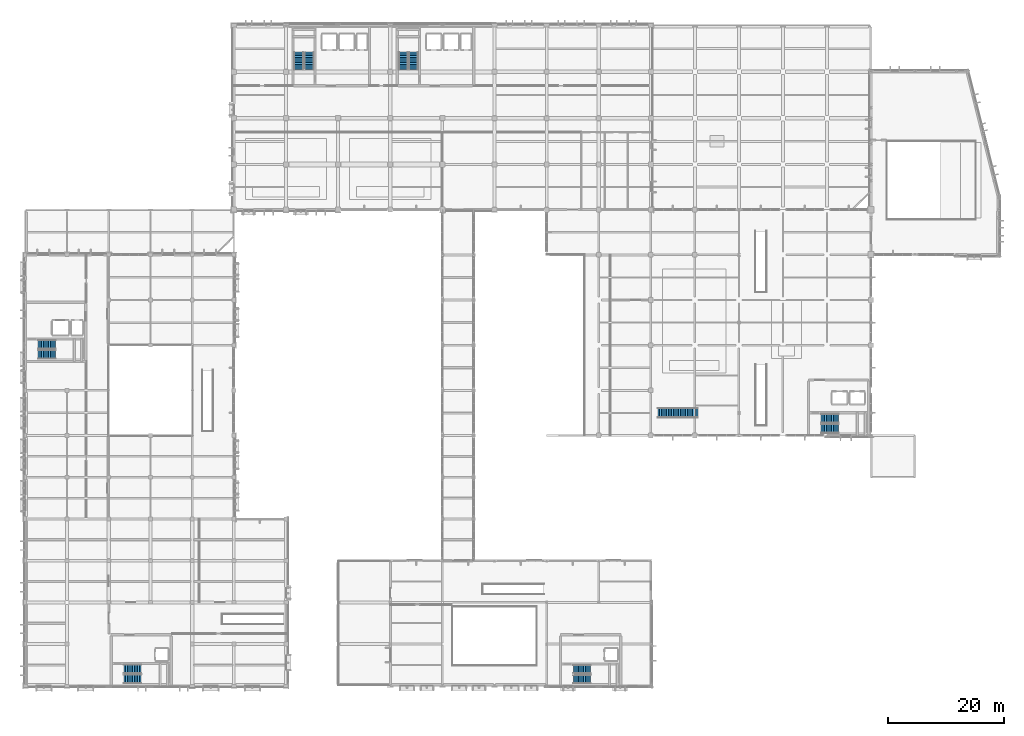
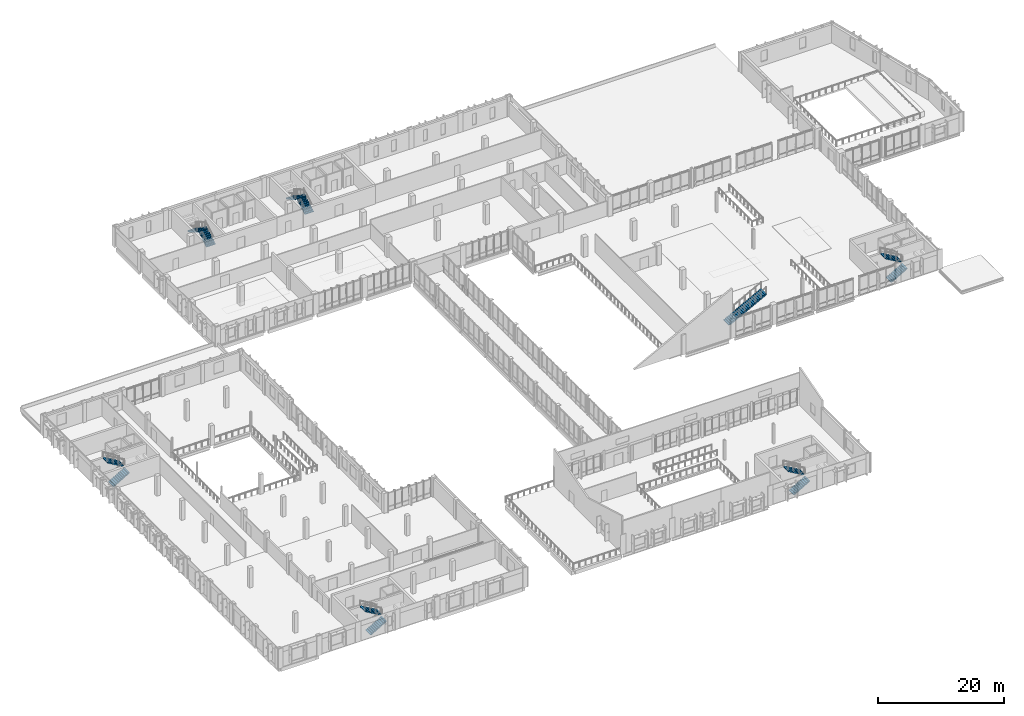
# One storey, part 64 of 85: 13 stair flights, 7 elements without a shape of their own.
"""IFC4 building model written with IfcOpenShell, lengths in metres."""

import ifcopenshell
import ifcopenshell.guid

model = None  # the IFC model being written
_history = None  # IfcOwnerHistory: only IFC2X3 demands one
_inside = {}  # id of a spatial element -> (the spatial element, [elements in it])
_under = {}  # id of a project, library or spatial element -> (it, [spatial elements below it])
_declared = {}  # id of a project -> (the project, [libraries it declares])
_typed = {}  # id of a type object -> (the type object, [elements of that type])
_made_of = {}  # id of a material, layer set ... -> (it, [elements and type objects made of it])


def new_model(schema):
    """Start an empty IFC model of exactly this schema.

    Asked for "IFC4X3", IfcOpenShell would pick the latest addendum, in which some entities
    have other attributes; the version numbers below select the first issue.
    IFC2X3 requires an IfcOwnerHistory on every rooted entity: one is made here for all.
    """
    global model, _history
    if schema == "IFC4X3":
        model = ifcopenshell.file(schema_version=(4, 3, 0, 0))
    else:
        model = ifcopenshell.file(schema=schema)
    _inside.clear()
    _under.clear()
    _declared.clear()
    _typed.clear()
    _made_of.clear()
    _history = None
    if model.schema == "IFC2X3":
        org = make("IfcOrganization", Name="unknown")
        user = make(
            "IfcPersonAndOrganization",
            ThePerson=make("IfcPerson", FamilyName="unknown"),
            TheOrganization=org,
        )
        app = make(
            "IfcApplication",
            ApplicationDeveloper=org,
            Version="unknown",
            ApplicationFullName="unknown",
            ApplicationIdentifier="unknown",
        )
        _history = make(
            "IfcOwnerHistory",
            OwningUser=user,
            OwningApplication=app,
            ChangeAction="ADDED",
            CreationDate=0,
        )
    return model


def make(cls, **values):
    """One entity of the class cls with the attributes given. An attribute that is None is left unset."""
    return model.create_entity(
        cls, **{name: value for name, value in values.items() if value is not None}
    )


def rooted(cls, **values):
    """An entity with a GlobalId (a new one), such as an element, a storey or a relation."""
    return make(cls, GlobalId=ifcopenshell.guid.new(), OwnerHistory=_history, **values)


def si_unit(unit_type, name, prefix=None):
    """IfcSIUnit, for example si_unit("LENGTHUNIT", "METRE", prefix="MILLI")."""
    return make("IfcSIUnit", UnitType=unit_type, Prefix=prefix, Name=name)


def assignment(units):
    """IfcUnitAssignment: the units of a project."""
    return None if units is None else make("IfcUnitAssignment", Units=units)


def point(xyz):
    """IfcCartesianPoint."""
    return None if xyz is None else make("IfcCartesianPoint", Coordinates=xyz)


def direction(xyz):
    """IfcDirection."""
    return None if xyz is None else make("IfcDirection", DirectionRatios=xyz)


def frame(location, z_axis=None, x_axis=None):
    """IfcAxis2Placement3D, a coordinate frame: its origin and axes. An axis left out is left unset."""
    return make(
        "IfcAxis2Placement3D",
        Location=point(location),
        Axis=direction(z_axis),
        RefDirection=direction(x_axis),
    )


def origin():
    """The frame at (0, 0, 0) with its axes left unset."""
    return frame((0.0, 0.0, 0.0))


def place(relative_to, where):
    """IfcLocalPlacement: puts the frame where relative to a parent placement (None: the world)."""
    return make(
        "IfcLocalPlacement", PlacementRelTo=relative_to, RelativePlacement=where
    )


def context(
    kind, dimensions, precision=None, world=None, true_north=None, identifier=None
):
    """IfcGeometricRepresentationContext, for example the 3D "Model" context."""
    return make(
        "IfcGeometricRepresentationContext",
        ContextIdentifier=identifier,
        ContextType=kind,
        CoordinateSpaceDimension=dimensions,
        Precision=precision,
        WorldCoordinateSystem=world,
        TrueNorth=true_north,
    )


def subcontext(parent, identifier, kind, view, scale=None):
    """IfcGeometricRepresentationSubContext, for example "Body" below "Model"."""
    return make(
        "IfcGeometricRepresentationSubContext",
        ContextIdentifier=identifier,
        ContextType=kind,
        ParentContext=parent,
        TargetScale=scale,
        TargetView=view,
    )


def project(units=None, contexts=None):
    """IfcProject with its units and contexts."""
    return rooted(
        "IfcProject",
        Name="project",
        RepresentationContexts=contexts,
        UnitsInContext=assignment(units),
    )


def spatial(cls, under=None, at=None, **own):
    """A site, building, storey or space (cls), placed at a placement, below another one or the project."""
    s = rooted(cls, ObjectPlacement=at, **own)
    if under is not None:
        _under.setdefault(under.id(), (under, []))[1].append(s)
    return s


def polyline(points):
    """IfcPolyline through the points."""
    return make("IfcPolyline", Points=[point(p) for p in points])


def outline(outer, holes=None, kind="AREA"):
    """IfcArbitraryClosedProfileDef: a profile drawn as a closed curve; with holes, ...WithVoids."""
    if holes is None:
        return make("IfcArbitraryClosedProfileDef", ProfileType=kind, OuterCurve=outer)
    return make(
        "IfcArbitraryProfileDefWithVoids",
        ProfileType=kind,
        OuterCurve=outer,
        InnerCurves=holes,
    )


def extrude(swept, where, along, depth):
    """IfcExtrudedAreaSolid: the profile swept, set in the frame where, extruded along a direction by depth."""
    return make(
        "IfcExtrudedAreaSolid",
        SweptArea=swept,
        Position=where,
        ExtrudedDirection=direction(along),
        Depth=depth,
    )


def shape(context_of_items, identifier, shape_type, items):
    """IfcShapeRepresentation: the items that make up one representation, for example the "Body"."""
    return make(
        "IfcShapeRepresentation",
        ContextOfItems=context_of_items,
        RepresentationIdentifier=identifier,
        RepresentationType=shape_type,
        Items=items,
    )


def material(Name=None, Category=None):
    """IfcMaterial."""
    return make("IfcMaterial", Name=Name, Category=Category)


def made_of(thing, what):
    """Note that an element or type object is made of a material, layer set ...; save() writes the relation."""
    if what is not None:
        _made_of.setdefault(what.id(), (what, []))[1].append(thing)
    return thing


def type_object(cls, material=None, **own):
    """A type object (cls), such as IfcWallType, which elements share."""
    return made_of(rooted(cls, **own), material)


def element(
    cls,
    number,
    at=None,
    inside=None,
    cuts=None,
    type_object=None,
    material=None,
    context=None,
    identifier="Body",
    shape_type=None,
    held_by="IfcProductDefinitionShape",
    body=None,
    shapes=None,
    **own,
):
    """One element of the class cls, such as IfcWall. Its Tag is "e" and its number.

    at: its placement. inside: the storey or other place that contains it. cuts: it is an
    opening in that element (IfcRelVoidsElement). A single representation is given by context,
    identifier, shape_type and body (its items); several are given by shapes. held_by: the class
    of the entity that holds the representations. save() writes the other relations.
    """
    e = rooted(cls, Tag="e%d" % number, ObjectPlacement=at, **own)
    if body is not None:
        shapes = [shape(context, identifier, shape_type, body)]
    if shapes is not None:
        e.Representation = make(held_by, Representations=shapes)
    if inside is not None:
        _inside.setdefault(inside.id(), (inside, []))[1].append(e)
    if cuts is not None:
        rooted(
            "IfcRelVoidsElement", RelatingBuildingElement=cuts, RelatedOpeningElement=e
        )
    if type_object is not None:
        _typed.setdefault(type_object.id(), (type_object, []))[1].append(e)
    return made_of(e, material)


def aggregate(whole, parts):
    """IfcRelAggregates: a whole, such as a stair, and the parts it consists of."""
    return rooted("IfcRelAggregates", RelatingObject=whole, RelatedObjects=parts)


def save(model, path):
    """Write the relations noted so far, then the file.

    IfcRelAggregates (storeys below a building ...), IfcRelContainedInSpatialStructure (elements
    in a storey), IfcRelDefinesByType, IfcRelAssociatesMaterial and IfcRelDeclares: one each for
    every whole, place, type object, material and project.
    """
    for whole, parts in _under.values():
        aggregate(whole, parts)
    for where, things in _inside.values():
        rooted(
            "IfcRelContainedInSpatialStructure",
            RelatedElements=things,
            RelatingStructure=where,
        )
    for kind, things in _typed.values():
        rooted("IfcRelDefinesByType", RelatedObjects=things, RelatingType=kind)
    for what, things in _made_of.values():
        rooted("IfcRelAssociatesMaterial", RelatedObjects=things, RelatingMaterial=what)
    for by, libraries in _declared.values():
        rooted("IfcRelDeclares", RelatingContext=by, RelatedDefinitions=libraries)
    model.write(path)


model = new_model("IFC4")

# Units and contexts
model_context = context("Model", 3, precision=1e-05, world=origin(), true_north=direction((0.0, 1.0)))
body_context = subcontext(model_context, "Body", "Model", "MODEL_VIEW")
ifc_project = project(units=[si_unit("LENGTHUNIT", "METRE"), si_unit("AREAUNIT", "SQUARE_METRE"), si_unit("VOLUMEUNIT", "CUBIC_METRE"), si_unit("PLANEANGLEUNIT", "RADIAN"), si_unit("MASSUNIT", "GRAM", prefix="KILO")], contexts=[model_context])

# Site, building, storey
site_placement = place(None, origin())
site = spatial("IfcSite", under=ifc_project, at=site_placement, CompositionType="ELEMENT")
building_placement = place(site_placement, origin())
building = spatial("IfcBuilding", under=site, at=building_placement, Name="Vervanel Yard Central Library", CompositionType="ELEMENT")
storey_placement = place(building_placement, frame((0.0, 0.0, 5.10009765625)))
storey = spatial("IfcBuildingStorey", under=building, at=storey_placement, Name="L01", CompositionType="ELEMENT", Elevation=5.10009765625)

# Stair, stair flight
ifc_material_1 = material(Name="Concrete C45/55", Category="concrete")
stair_type_1 = type_object("IfcStairType", Name="Architectural Feature Straight Stair FS-ST-03", PredefinedType="STRAIGHT_RUN_STAIR", material=ifc_material_1)
stair_1_placement = place(storey_placement, origin())
stair_1 = element("IfcStair", 1, at=stair_1_placement, inside=storey, type_object=stair_type_1, Name="L01 Feature Stair FS-ST-03", PredefinedType="STRAIGHT_RUN_STAIR")
stair_flight_type_1 = type_object("IfcStairFlightType", Name="Feature Stair Flight FS-ST-03-FL", PredefinedType="STRAIGHT", material=ifc_material_1)
stair_flight_1_placement = place(storey_placement, frame((109.199951171875, 47.10009765625, 0.0), z_axis=(0.0, 0.0, 1.0), x_axis=(1.0, 0.0, 0.0)))
stair_flight_1 = element("IfcStairFlight", 2, at=stair_flight_1_placement, type_object=stair_flight_type_1, Name="FST-03-L01 Flight 1", NumberOfRisers=24, NumberOfTreads=23, PredefinedType="STRAIGHT", RiserHeight=0.16, TreadLength=0.3, context=body_context, shape_type="SweptSolid", body=[
    extrude(outline(polyline([(0.0, 0.0), (0.0, 0.159912109375), (0.300048828125, 0.159912109375), (0.300048828125, 0.320068359375), (0.60009765625, 0.320068359375), (0.60009765625, 0.47998046875), (0.89990234375, 0.47998046875), (0.89990234375, 0.639892578125), (1.199951171875, 0.639892578125), (1.199951171875, 0.800048828125), (1.5, 0.800048828125), (1.5, 0.9599609375), (1.800048828125, 0.9599609375), (1.800048828125, 1.1201171875), (2.10009765625, 1.1201171875), (2.10009765625, 1.280029296875), (2.39990234375, 1.280029296875), (2.39990234375, 1.43994140625), (2.699951171875, 1.43994140625), (2.699951171875, 1.60009765625), (3.0, 1.60009765625), (3.0, 1.760009765625), (3.300048828125, 1.760009765625), (3.300048828125, 1.919921875), (3.60009765625, 1.919921875), (3.60009765625, 2.080078125), (3.89990234375, 2.080078125), (3.89990234375, 2.239990234375), (4.199951171875, 2.239990234375), (4.199951171875, 2.39990234375), (4.5, 2.39990234375), (4.5, 2.56005859375), (4.800048828125, 2.56005859375), (4.800048828125, 2.719970703125), (5.10009765625, 2.719970703125), (5.10009765625, 2.8798828125), (5.39990234375, 2.8798828125), (5.39990234375, 3.0400390625), (5.699951171875, 3.0400390625), (5.699951171875, 3.199951171875), (6.0, 3.199951171875), (6.0, 3.360107421875), (6.300048828125, 3.360107421875), (6.300048828125, 3.52001953125), (6.60009765625, 3.52001953125), (6.60009765625, 3.679931640625), (6.89990234375, 3.679931640625), (6.89990234375, 3.840087890625), (6.89990234375, 3.453369140625), (0.4248046875, 0.0), (0.0, 0.0)])), frame((0.0, 0.83984375, 0.0), z_axis=(0.0, -1.0, 0.0), x_axis=(1.0, 0.0, 0.0)), (0.0, 0.0, 1.0), 1.679931640625),
])
aggregate(stair_1, [stair_flight_1])

# Stair, stair flights
ifc_material_2 = material(Name="Concrete C40/50", Category="concrete")
stair_type_2 = type_object("IfcStairType", Name="Protected Core Dog-Leg Stair ST-01", PredefinedType="HALF_TURN_STAIR", material=ifc_material_2)
stair_2_placement = place(storey_placement, origin())
stair_2 = element("IfcStair", 3, at=stair_2_placement, inside=storey, type_object=stair_type_2, Name="L01 CORE-A Protected Exit Stair", PredefinedType="HALF_TURN_STAIR")
stair_flight_type_2 = type_object("IfcStairFlightType", Name="Protected Stair Flight ST-01-FL", PredefinedType="STRAIGHT", material=ifc_material_2)
stair_flight_2_placement = place(storey_placement, frame((49.02490234375, 106.39990234375, 0.0), z_axis=(0.0, 0.0, 1.0), x_axis=(0.0, 1.0, 0.0)))
stair_flight_2 = element("IfcStairFlight", 4, at=stair_flight_2_placement, type_object=stair_flight_type_2, Name="ST-01 flight 1", NumberOfRisers=11, NumberOfTreads=10, PredefinedType="STRAIGHT", RiserHeight=0.174545455, TreadLength=0.3, context=body_context, shape_type="SweptSolid", body=[
    extrude(outline(polyline([(0.0, 0.0), (0.0, 0.174560546875), (0.300048828125, 0.174560546875), (0.300048828125, 0.34912109375), (0.60009765625, 0.34912109375), (0.60009765625, 0.523681640625), (0.89990234375, 0.523681640625), (0.89990234375, 0.6982421875), (1.199951171875, 0.6982421875), (1.199951171875, 0.872802734375), (1.5, 0.872802734375), (1.5, 1.04736328125), (1.800048828125, 1.04736328125), (1.800048828125, 1.221923828125), (2.10009765625, 1.221923828125), (2.10009765625, 1.396484375), (2.39990234375, 1.396484375), (2.39990234375, 1.57080078125), (2.699951171875, 1.57080078125), (2.699951171875, 1.745361328125), (3.0, 1.745361328125), (3.0, 1.919921875), (3.0, 1.572021484375), (0.298095703125, 0.0), (0.0, 0.0)])), frame((0.0, 0.824951171875, 0.0), z_axis=(0.0, -1.0, 0.0), x_axis=(1.0, 0.0, 0.0)), (0.0, 0.0, 1.0), 1.64990234375),
])
stair_flight_3_placement = place(storey_placement, frame((47.215087890625, 109.39990234375, 1.919921875), z_axis=(0.0, 0.0, 1.0), x_axis=(0.0, -1.0, 0.0)))
stair_flight_3 = element("IfcStairFlight", 5, at=stair_flight_3_placement, type_object=stair_flight_type_2, Name="ST-01 flight 2", NumberOfRisers=11, NumberOfTreads=10, PredefinedType="STRAIGHT", RiserHeight=0.174545455, TreadLength=0.3, context=body_context, shape_type="SweptSolid", body=[
    extrude(outline(polyline([(0.0, 0.0), (0.0, 0.174560546875), (0.300048828125, 0.174560546875), (0.300048828125, 0.34912109375), (0.60009765625, 0.34912109375), (0.60009765625, 0.523681640625), (0.89990234375, 0.523681640625), (0.89990234375, 0.6982421875), (1.199951171875, 0.6982421875), (1.199951171875, 0.872802734375), (1.5, 0.872802734375), (1.5, 1.04736328125), (1.800048828125, 1.04736328125), (1.800048828125, 1.221923828125), (2.10009765625, 1.221923828125), (2.10009765625, 1.396484375), (2.39990234375, 1.396484375), (2.39990234375, 1.57080078125), (2.699951171875, 1.57080078125), (2.699951171875, 1.745361328125), (3.0, 1.745361328125), (3.0, 1.919921875), (3.0, 1.572021484375), (0.298095703125, 0.0), (0.0, 0.0)])), frame((0.0, 0.824951171875, 0.0), z_axis=(0.0, -1.0, 0.0), x_axis=(1.0, 0.0, 0.0)), (0.0, 0.0, 1.0), 1.64990234375),
])
aggregate(stair_2, [stair_flight_2, stair_flight_3])

stair_type_3 = type_object("IfcStairType", Name="Protected Core Dog-Leg Stair ST-02", PredefinedType="HALF_TURN_STAIR", material=ifc_material_2)
stair_3_placement = place(storey_placement, origin())
stair_3 = element("IfcStair", 6, at=stair_3_placement, inside=storey, type_object=stair_type_3, Name="L01 CORE-B Protected Exit Stair", PredefinedType="HALF_TURN_STAIR")
stair_flight_type_3 = type_object("IfcStairFlightType", Name="Protected Stair Flight ST-02-FL", PredefinedType="STRAIGHT", material=ifc_material_2)
stair_flight_4_placement = place(storey_placement, frame((67.0400390625, 106.39990234375, 0.0), z_axis=(0.0, 0.0, 1.0), x_axis=(0.0, 1.0, 0.0)))
stair_flight_4 = element("IfcStairFlight", 7, at=stair_flight_4_placement, type_object=stair_flight_type_3, Name="ST-02 flight 1", NumberOfRisers=11, NumberOfTreads=10, PredefinedType="STRAIGHT", RiserHeight=0.174545455, TreadLength=0.3, context=body_context, shape_type="SweptSolid", body=[
    extrude(outline(polyline([(0.0, 0.0), (0.0, 0.174560546875), (0.300048828125, 0.174560546875), (0.300048828125, 0.34912109375), (0.60009765625, 0.34912109375), (0.60009765625, 0.523681640625), (0.89990234375, 0.523681640625), (0.89990234375, 0.6982421875), (1.199951171875, 0.6982421875), (1.199951171875, 0.872802734375), (1.5, 0.872802734375), (1.5, 1.04736328125), (1.800048828125, 1.04736328125), (1.800048828125, 1.221923828125), (2.10009765625, 1.221923828125), (2.10009765625, 1.396484375), (2.39990234375, 1.396484375), (2.39990234375, 1.57080078125), (2.699951171875, 1.57080078125), (2.699951171875, 1.745361328125), (3.0, 1.745361328125), (3.0, 1.919921875), (3.0, 1.572021484375), (0.298095703125, 0.0), (0.0, 0.0)])), frame((0.0, 0.81005859375, 0.0), z_axis=(0.0, -1.0, 0.0), x_axis=(1.0, 0.0, 0.0)), (0.0, 0.0, 1.0), 1.6201171875),
])
stair_flight_5_placement = place(storey_placement, frame((65.260009765625, 109.39990234375, 1.919921875), z_axis=(0.0, 0.0, 1.0), x_axis=(0.0, -1.0, 0.0)))
stair_flight_5 = element("IfcStairFlight", 8, at=stair_flight_5_placement, type_object=stair_flight_type_3, Name="ST-02 flight 2", NumberOfRisers=11, NumberOfTreads=10, PredefinedType="STRAIGHT", RiserHeight=0.174545455, TreadLength=0.3, context=body_context, shape_type="SweptSolid", body=[
    extrude(outline(polyline([(0.0, 0.0), (0.0, 0.174560546875), (0.300048828125, 0.174560546875), (0.300048828125, 0.34912109375), (0.60009765625, 0.34912109375), (0.60009765625, 0.523681640625), (0.89990234375, 0.523681640625), (0.89990234375, 0.6982421875), (1.199951171875, 0.6982421875), (1.199951171875, 0.872802734375), (1.5, 0.872802734375), (1.5, 1.04736328125), (1.800048828125, 1.04736328125), (1.800048828125, 1.221923828125), (2.10009765625, 1.221923828125), (2.10009765625, 1.396484375), (2.39990234375, 1.396484375), (2.39990234375, 1.57080078125), (2.699951171875, 1.57080078125), (2.699951171875, 1.745361328125), (3.0, 1.745361328125), (3.0, 1.919921875), (3.0, 1.572021484375), (0.298095703125, 0.0), (0.0, 0.0)])), frame((0.0, 0.81005859375, 0.0), z_axis=(0.0, -1.0, 0.0), x_axis=(1.0, 0.0, 0.0)), (0.0, 0.0, 1.0), 1.6201171875),
])
aggregate(stair_3, [stair_flight_4, stair_flight_5])

stair_type_4 = type_object("IfcStairType", Name="Protected Core Dog-Leg Stair ST-03", PredefinedType="HALF_TURN_STAIR", material=ifc_material_2)
stair_4_placement = place(storey_placement, origin())
stair_4 = element("IfcStair", 9, at=stair_4_placement, inside=storey, type_object=stair_type_4, Name="L01 CORE-C Protected Exit Stair", PredefinedType="HALF_TURN_STAIR")
stair_flight_type_4 = type_object("IfcStairFlightType", Name="Protected Stair Flight ST-03-FL", PredefinedType="STRAIGHT", material=ifc_material_2)
stair_flight_6_placement = place(storey_placement, frame((2.199951171875, 57.18994140625, 0.0), z_axis=(0.0, 0.0, 1.0), x_axis=(1.0, 0.0, 0.0)))
stair_flight_6 = element("IfcStairFlight", 10, at=stair_flight_6_placement, type_object=stair_flight_type_4, Name="ST-03 flight 1", NumberOfRisers=11, NumberOfTreads=10, PredefinedType="STRAIGHT", RiserHeight=0.174545455, TreadLength=0.3, context=body_context, shape_type="SweptSolid", body=[
    extrude(outline(polyline([(0.0, 0.0), (0.0, 0.174560546875), (0.300048828125, 0.174560546875), (0.300048828125, 0.34912109375), (0.60009765625, 0.34912109375), (0.60009765625, 0.523681640625), (0.89990234375, 0.523681640625), (0.89990234375, 0.6982421875), (1.199951171875, 0.6982421875), (1.199951171875, 0.872802734375), (1.5, 0.872802734375), (1.5, 1.04736328125), (1.800048828125, 1.04736328125), (1.800048828125, 1.221923828125), (2.10009765625, 1.221923828125), (2.10009765625, 1.396484375), (2.39990234375, 1.396484375), (2.39990234375, 1.57080078125), (2.699951171875, 1.57080078125), (2.699951171875, 1.745361328125), (3.0, 1.745361328125), (3.0, 1.919921875), (3.0, 1.572021484375), (0.298095703125, 0.0), (0.0, 0.0)])), frame((0.0, 0.7900390625, 0.0), z_axis=(0.0, -1.0, 0.0), x_axis=(1.0, 0.0, 0.0)), (0.0, 0.0, 1.0), 1.580078125),
])
stair_flight_7_placement = place(storey_placement, frame((5.199951171875, 58.929931640625, 1.919921875), z_axis=(0.0, 0.0, 1.0), x_axis=(-1.0, 0.0, 0.0)))
stair_flight_7 = element("IfcStairFlight", 11, at=stair_flight_7_placement, type_object=stair_flight_type_4, Name="ST-03 flight 2", NumberOfRisers=11, NumberOfTreads=10, PredefinedType="STRAIGHT", RiserHeight=0.174545455, TreadLength=0.3, context=body_context, shape_type="SweptSolid", body=[
    extrude(outline(polyline([(0.0, 0.0), (0.0, 0.174560546875), (0.300048828125, 0.174560546875), (0.300048828125, 0.34912109375), (0.60009765625, 0.34912109375), (0.60009765625, 0.523681640625), (0.89990234375, 0.523681640625), (0.89990234375, 0.6982421875), (1.199951171875, 0.6982421875), (1.199951171875, 0.872802734375), (1.5, 0.872802734375), (1.5, 1.04736328125), (1.800048828125, 1.04736328125), (1.800048828125, 1.221923828125), (2.10009765625, 1.221923828125), (2.10009765625, 1.396484375), (2.39990234375, 1.396484375), (2.39990234375, 1.57080078125), (2.699951171875, 1.57080078125), (2.699951171875, 1.745361328125), (3.0, 1.745361328125), (3.0, 1.919921875), (3.0, 1.572021484375), (0.298095703125, 0.0), (0.0, 0.0)])), frame((0.0, 0.7900390625, 0.0), z_axis=(0.0, -1.0, 0.0), x_axis=(1.0, 0.0, 0.0)), (0.0, 0.0, 1.0), 1.580078125),
])
aggregate(stair_4, [stair_flight_6, stair_flight_7])

stair_type_5 = type_object("IfcStairType", Name="Protected Core Dog-Leg Stair ST-04", PredefinedType="HALF_TURN_STAIR", material=ifc_material_2)
stair_5_placement = place(storey_placement, origin())
stair_5 = element("IfcStair", 12, at=stair_5_placement, inside=storey, type_object=stair_type_5, Name="L01 CORE-D Protected Exit Stair", PredefinedType="HALF_TURN_STAIR")
stair_flight_type_5 = type_object("IfcStairFlightType", Name="Protected Stair Flight ST-04-FL", PredefinedType="STRAIGHT", material=ifc_material_2)
stair_flight_8_placement = place(storey_placement, frame((17.0, 1.175048828125, 0.0), z_axis=(0.0, 0.0, 1.0), x_axis=(1.0, 0.0, 0.0)))
stair_flight_8 = element("IfcStairFlight", 13, at=stair_flight_8_placement, type_object=stair_flight_type_5, Name="ST-04 flight 1", NumberOfRisers=11, NumberOfTreads=10, PredefinedType="STRAIGHT", RiserHeight=0.174545455, TreadLength=0.3, context=body_context, shape_type="SweptSolid", body=[
    extrude(outline(polyline([(0.0, 0.0), (0.0, 0.174560546875), (0.300048828125, 0.174560546875), (0.300048828125, 0.34912109375), (0.60009765625, 0.34912109375), (0.60009765625, 0.523681640625), (0.89990234375, 0.523681640625), (0.89990234375, 0.6982421875), (1.199951171875, 0.6982421875), (1.199951171875, 0.872802734375), (1.5, 0.872802734375), (1.5, 1.04736328125), (1.800048828125, 1.04736328125), (1.800048828125, 1.221923828125), (2.10009765625, 1.221923828125), (2.10009765625, 1.396484375), (2.39990234375, 1.396484375), (2.39990234375, 1.57080078125), (2.699951171875, 1.57080078125), (2.699951171875, 1.745361328125), (3.0, 1.745361328125), (3.0, 1.919921875), (3.0, 1.572021484375), (0.298095703125, 0.0), (0.0, 0.0)])), frame((0.0, 0.77490234375, 0.0), z_axis=(0.0, -1.0, 0.0), x_axis=(1.0, 0.0, 0.0)), (0.0, 0.0, 1.0), 1.550048828125),
])
stair_flight_9_placement = place(storey_placement, frame((20.0, 2.885009765625, 1.919921875), z_axis=(0.0, 0.0, 1.0), x_axis=(-1.0, 0.0, 0.0)))
stair_flight_9 = element("IfcStairFlight", 14, at=stair_flight_9_placement, type_object=stair_flight_type_5, Name="ST-04 flight 2", NumberOfRisers=11, NumberOfTreads=10, PredefinedType="STRAIGHT", RiserHeight=0.174545455, TreadLength=0.3, context=body_context, shape_type="SweptSolid", body=[
    extrude(outline(polyline([(0.0, 0.0), (0.0, 0.174560546875), (0.300048828125, 0.174560546875), (0.300048828125, 0.34912109375), (0.60009765625, 0.34912109375), (0.60009765625, 0.523681640625), (0.89990234375, 0.523681640625), (0.89990234375, 0.6982421875), (1.199951171875, 0.6982421875), (1.199951171875, 0.872802734375), (1.5, 0.872802734375), (1.5, 1.04736328125), (1.800048828125, 1.04736328125), (1.800048828125, 1.221923828125), (2.10009765625, 1.221923828125), (2.10009765625, 1.396484375), (2.39990234375, 1.396484375), (2.39990234375, 1.57080078125), (2.699951171875, 1.57080078125), (2.699951171875, 1.745361328125), (3.0, 1.745361328125), (3.0, 1.919921875), (3.0, 1.572021484375), (0.298095703125, 0.0), (0.0, 0.0)])), frame((0.0, 0.77490234375, 0.0), z_axis=(0.0, -1.0, 0.0), x_axis=(1.0, 0.0, 0.0)), (0.0, 0.0, 1.0), 1.550048828125),
])
aggregate(stair_5, [stair_flight_8, stair_flight_9])

stair_type_6 = type_object("IfcStairType", Name="Protected Core Dog-Leg Stair ST-05", PredefinedType="HALF_TURN_STAIR", material=ifc_material_2)
stair_6_placement = place(storey_placement, origin())
stair_6 = element("IfcStair", 15, at=stair_6_placement, inside=storey, type_object=stair_type_6, Name="L01 CORE-E Protected Exit Stair", PredefinedType="HALF_TURN_STAIR")
stair_flight_type_6 = type_object("IfcStairFlightType", Name="Protected Stair Flight ST-05-FL", PredefinedType="STRAIGHT", material=ifc_material_2)
stair_flight_10_placement = place(storey_placement, frame((137.39990234375, 44.39990234375, 0.0), z_axis=(0.0, 0.0, 1.0), x_axis=(1.0, 0.0, 0.0)))
stair_flight_10 = element("IfcStairFlight", 16, at=stair_flight_10_placement, type_object=stair_flight_type_6, Name="ST-05 flight 1", NumberOfRisers=11, NumberOfTreads=10, PredefinedType="STRAIGHT", RiserHeight=0.174545455, TreadLength=0.3, context=body_context, shape_type="SweptSolid", body=[
    extrude(outline(polyline([(0.0, 0.0), (0.0, 0.174560546875), (0.300048828125, 0.174560546875), (0.300048828125, 0.34912109375), (0.60009765625, 0.34912109375), (0.60009765625, 0.523681640625), (0.89990234375, 0.523681640625), (0.89990234375, 0.6982421875), (1.199951171875, 0.6982421875), (1.199951171875, 0.872802734375), (1.5, 0.872802734375), (1.5, 1.04736328125), (1.800048828125, 1.04736328125), (1.800048828125, 1.221923828125), (2.10009765625, 1.221923828125), (2.10009765625, 1.396484375), (2.39990234375, 1.396484375), (2.39990234375, 1.57080078125), (2.699951171875, 1.57080078125), (2.699951171875, 1.745361328125), (3.0, 1.745361328125), (3.0, 1.919921875), (3.0, 1.572021484375), (0.298095703125, 0.0), (0.0, 0.0)])), frame((0.0, 0.800048828125, 0.0), z_axis=(0.0, -1.0, 0.0), x_axis=(1.0, 0.0, 0.0)), (0.0, 0.0, 1.0), 1.60009765625),
])
stair_flight_11_placement = place(storey_placement, frame((140.39990234375, 46.159912109375, 1.919921875), z_axis=(0.0, 0.0, 1.0), x_axis=(-1.0, 0.0, 0.0)))
stair_flight_11 = element("IfcStairFlight", 17, at=stair_flight_11_placement, type_object=stair_flight_type_6, Name="ST-05 flight 2", NumberOfRisers=11, NumberOfTreads=10, PredefinedType="STRAIGHT", RiserHeight=0.174545455, TreadLength=0.3, context=body_context, shape_type="SweptSolid", body=[
    extrude(outline(polyline([(0.0, 0.0), (0.0, 0.174560546875), (0.300048828125, 0.174560546875), (0.300048828125, 0.34912109375), (0.60009765625, 0.34912109375), (0.60009765625, 0.523681640625), (0.89990234375, 0.523681640625), (0.89990234375, 0.6982421875), (1.199951171875, 0.6982421875), (1.199951171875, 0.872802734375), (1.5, 0.872802734375), (1.5, 1.04736328125), (1.800048828125, 1.04736328125), (1.800048828125, 1.221923828125), (2.10009765625, 1.221923828125), (2.10009765625, 1.396484375), (2.39990234375, 1.396484375), (2.39990234375, 1.57080078125), (2.699951171875, 1.57080078125), (2.699951171875, 1.745361328125), (3.0, 1.745361328125), (3.0, 1.919921875), (3.0, 1.572021484375), (0.298095703125, 0.0), (0.0, 0.0)])), frame((0.0, 0.800048828125, 0.0), z_axis=(0.0, -1.0, 0.0), x_axis=(1.0, 0.0, 0.0)), (0.0, 0.0, 1.0), 1.60009765625),
])
aggregate(stair_6, [stair_flight_10, stair_flight_11])

stair_type_7 = type_object("IfcStairType", Name="Protected Core Dog-Leg Stair ST-06", PredefinedType="HALF_TURN_STAIR", material=ifc_material_2)
stair_7_placement = place(storey_placement, origin())
stair_7 = element("IfcStair", 18, at=stair_7_placement, inside=storey, type_object=stair_type_7, Name="L01 CORE-F Protected Exit Stair", PredefinedType="HALF_TURN_STAIR")
stair_flight_type_7 = type_object("IfcStairFlightType", Name="Protected Stair Flight ST-06-FL", PredefinedType="STRAIGHT", material=ifc_material_2)
stair_flight_12_placement = place(storey_placement, frame((94.60009765625, 1.159912109375, 0.0), z_axis=(0.0, 0.0, 1.0), x_axis=(1.0, 0.0, 0.0)))
stair_flight_12 = element("IfcStairFlight", 19, at=stair_flight_12_placement, type_object=stair_flight_type_7, Name="ST-06 flight 1", NumberOfRisers=11, NumberOfTreads=10, PredefinedType="STRAIGHT", RiserHeight=0.174545455, TreadLength=0.3, context=body_context, shape_type="SweptSolid", body=[
    extrude(outline(polyline([(0.0, 0.0), (0.0, 0.174560546875), (0.300048828125, 0.174560546875), (0.300048828125, 0.34912109375), (0.60009765625, 0.34912109375), (0.60009765625, 0.523681640625), (0.89990234375, 0.523681640625), (0.89990234375, 0.6982421875), (1.199951171875, 0.6982421875), (1.199951171875, 0.872802734375), (1.5, 0.872802734375), (1.5, 1.04736328125), (1.800048828125, 1.04736328125), (1.800048828125, 1.221923828125), (2.10009765625, 1.221923828125), (2.10009765625, 1.396484375), (2.39990234375, 1.396484375), (2.39990234375, 1.57080078125), (2.699951171875, 1.57080078125), (2.699951171875, 1.745361328125), (3.0, 1.745361328125), (3.0, 1.919921875), (3.0, 1.572021484375), (0.298095703125, 0.0), (0.0, 0.0)])), frame((0.0, 0.760009765625, 0.0), z_axis=(0.0, -1.0, 0.0), x_axis=(1.0, 0.0, 0.0)), (0.0, 0.0, 1.0), 1.52001953125),
])
stair_flight_13_placement = place(storey_placement, frame((97.60009765625, 2.840087890625, 1.919921875), z_axis=(0.0, 0.0, 1.0), x_axis=(-1.0, 0.0, 0.0)))
stair_flight_13 = element("IfcStairFlight", 20, at=stair_flight_13_placement, type_object=stair_flight_type_7, Name="ST-06 flight 2", NumberOfRisers=11, NumberOfTreads=10, PredefinedType="STRAIGHT", RiserHeight=0.174545455, TreadLength=0.3, context=body_context, shape_type="SweptSolid", body=[
    extrude(outline(polyline([(0.0, 0.0), (0.0, 0.174560546875), (0.300048828125, 0.174560546875), (0.300048828125, 0.34912109375), (0.60009765625, 0.34912109375), (0.60009765625, 0.523681640625), (0.89990234375, 0.523681640625), (0.89990234375, 0.6982421875), (1.199951171875, 0.6982421875), (1.199951171875, 0.872802734375), (1.5, 0.872802734375), (1.5, 1.04736328125), (1.800048828125, 1.04736328125), (1.800048828125, 1.221923828125), (2.10009765625, 1.221923828125), (2.10009765625, 1.396484375), (2.39990234375, 1.396484375), (2.39990234375, 1.57080078125), (2.699951171875, 1.57080078125), (2.699951171875, 1.745361328125), (3.0, 1.745361328125), (3.0, 1.919921875), (3.0, 1.572021484375), (0.298095703125, 0.0), (0.0, 0.0)])), frame((0.0, 0.760009765625, 0.0), z_axis=(0.0, -1.0, 0.0), x_axis=(1.0, 0.0, 0.0)), (0.0, 0.0, 1.0), 1.52001953125),
])
aggregate(stair_7, [stair_flight_12, stair_flight_13])

save(model, "model.ifc")
